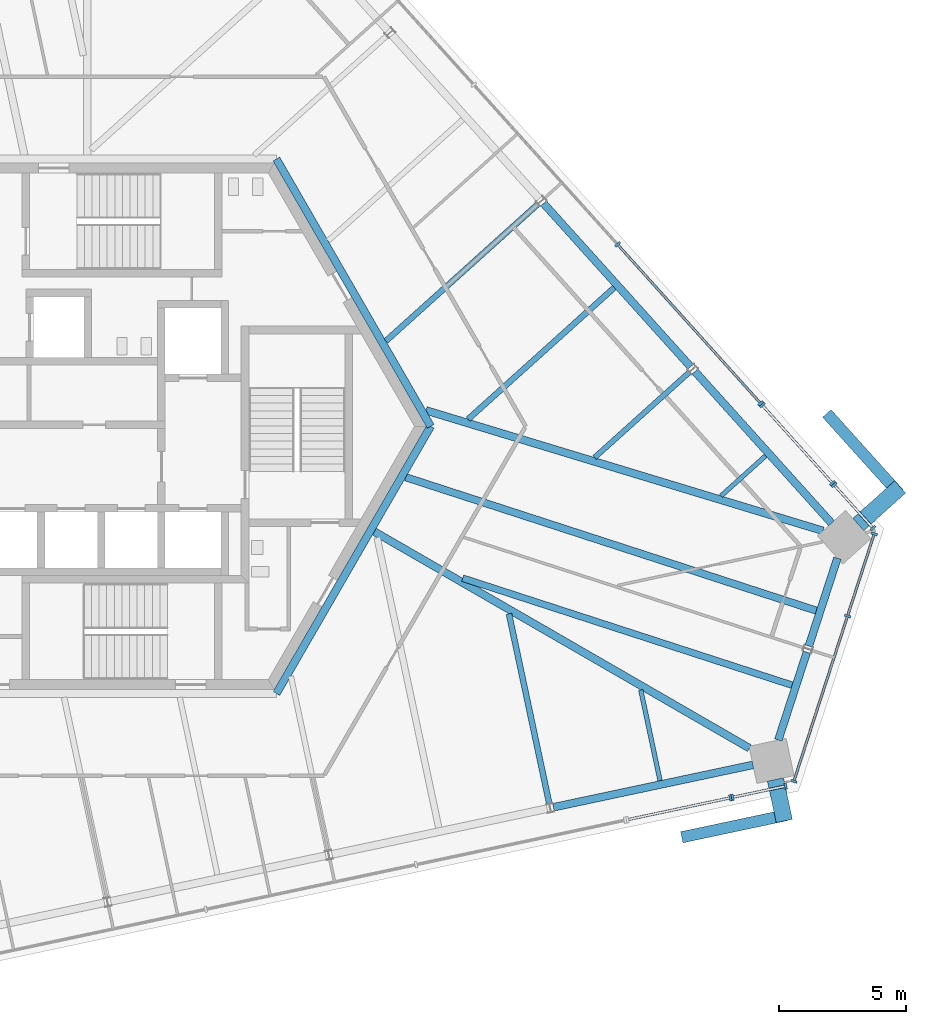
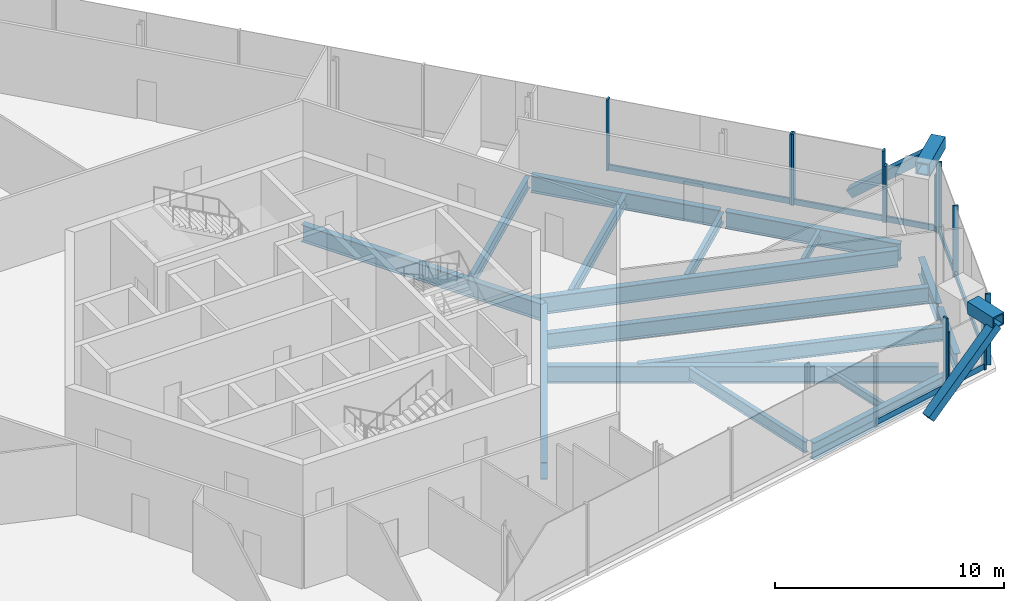
# One storey, part 6 of 16: 23 members, 17 beams, 6 elements without a shape of their own.
"""IFC4 building model written with IfcOpenShell, lengths in metres."""

from ifc_helpers import new_model, si_unit, direction, frame, origin, origin_2d, place, context, subcontext, project, spatial, rectangle, hollow_rectangle, i_section, extrude, source, transform, mapped, material, material_profile, profile_set, type_object, element, aggregate, save


model = new_model("IFC4")

# Units and contexts
model_context = context("Model", 3, precision=1e-05, world=origin(), true_north=direction((0.0, 1.0)))
body_context = subcontext(model_context, "Body", "Model", "MODEL_VIEW")
ifc_project = project(units=[si_unit("LENGTHUNIT", "METRE"), si_unit("AREAUNIT", "SQUARE_METRE"), si_unit("VOLUMEUNIT", "CUBIC_METRE"), si_unit("PLANEANGLEUNIT", "RADIAN"), si_unit("MASSUNIT", "GRAM", prefix="KILO")], contexts=[model_context])

# Site, building, storey
site_placement = place(None, origin())
site = spatial("IfcSite", under=ifc_project, at=site_placement, CompositionType="ELEMENT")
building_placement = place(site_placement, origin())
building = spatial("IfcBuilding", under=site, at=building_placement, Name="Triune Harvest Tower", CompositionType="ELEMENT")
storey_placement = place(building_placement, frame((0.0, 0.0, 292.699951171875)))
storey = spatial("IfcBuildingStorey", under=building, at=storey_placement, Name="L77", CompositionType="ELEMENT", Elevation=292.699951171875)

# Curtain wall, member
ifc_material_1 = material(Name="Aluminium bronze anodised", Category="aluminium")
curtain_wall_type_1 = type_object("IfcCurtainWallType", Name="CW-9 Sky lobby tall glazing wall with insulated spandrel infill", PredefinedType="NOTDEFINED", material=ifc_material_1)
curtain_wall_1_placement = place(storey_placement, origin())
curtain_wall_1 = element("IfcCurtainWall", 1, at=curtain_wall_1_placement, inside=storey, type_object=curtain_wall_type_1, Name="CW-9 B7-F5 L77 run 201")
ifc_material_2 = material(Name="Aluminium bronze anodised", Category="aluminium")
ifc_material_profile_1 = material_profile(ifc_material_2, rectangle(XDim=0.10009765625, YDim=0.300048828125, at=origin_2d()), Name="TR-4 transom 100 x 300")
ifc_profile_set_1 = profile_set([ifc_material_profile_1], Name="Aluminium bronze anodised")
member_type_1 = type_object("IfcMemberType", Name="TR-4 transom 100 x 300", PredefinedType="USERDEFINED", material=ifc_profile_set_1)
member_1_placement = place(storey_placement, frame((24.13232421875, -14.63232421875, 0.150146484375), z_axis=(0.978138891273, 0.20795266139, 0.0), x_axis=(-0.20795266139, 0.978138891273, 0.0)))
member_1 = element("IfcMember", 2, at=member_1_placement, type_object=member_type_1, Name="CW-9 transom B7-F5 201.1", ObjectType="TRANSOM", PredefinedType="USERDEFINED", context=body_context, shape_type="SweptSolid", body=[
    extrude(rectangle(XDim=0.10009765625, YDim=0.300048828125, at=origin_2d()), origin(), (0.0, 0.0, 1.0), 2.05224609375),
])

# Beams
ifc_material_3 = material(Name="Steel ASTM A992 Gr 50", Category="steel")
ifc_material_profile_2 = material_profile(ifc_material_3, i_section(OverallWidth=0.3046875, OverallDepth=0.914306640625, WebThickness=0.0166015625, FlangeThickness=0.02587890625, at=origin_2d()), Name="W36x160")
ifc_profile_set_2 = profile_set([ifc_material_profile_2], Name="Steel ASTM A992 Gr 50")
beam_type_1 = type_object("IfcBeamType", Name="CG-1 Core ring girder W36x160", PredefinedType="BEAM", material=ifc_profile_set_2)
shared_shape_1 = source(origin(), body_context, "Body", "SweptSolid", [
    extrude(i_section(OverallWidth=0.3046875, OverallDepth=0.914306640625, WebThickness=0.0166015625, FlangeThickness=0.02587890625, at=origin_2d()), origin(), (0.0, 0.0, 1.0), 12.176025390625),
])
for number, where, z_axis, x_axis, name in (
    (3, (12.176025390625, 0.0, -0.63720703125), (-0.5000099932, 0.866019634131, 0.0), (-0.866019634131, -0.5000099932, 0.0), "beam/L77/CG1"),
    (4, (6.087890625, -10.544677734375, -0.63720703125), (0.5000099932, 0.866019634131, 0.0), (-0.866019634131, 0.5000099932, 0.0), "beam/L77/CG6"),
):
    element("IfcBeam", number, at=place(storey_placement, frame(where, z_axis=z_axis, x_axis=x_axis)), inside=storey, type_object=beam_type_1, Name=name, PredefinedType="BEAM", context=body_context, shape_type="MappedRepresentation", body=[
        mapped(shared_shape_1, transform((0.0, 0.0, 0.0), scale=1.0)),
    ])
ifc_material_4 = material(Name="Steel ASTM A992 Gr 50", Category="steel")
ifc_material_profile_3 = material_profile(ifc_material_4, i_section(OverallWidth=0.3046875, OverallDepth=0.914306640625, WebThickness=0.0166015625, FlangeThickness=0.02587890625, at=origin_2d()), Name="W36x160")
ifc_profile_set_3 = profile_set([ifc_material_profile_3], Name="Steel ASTM A992 Gr 50")
beam_type_2 = type_object("IfcBeamType", Name="SB-1 Spandrel beam W36x160", PredefinedType="SPANDREL", material=ifc_profile_set_3)
shared_shape_2 = source(origin(), body_context, "Body", "SweptSolid", [
    extrude(i_section(OverallWidth=0.3046875, OverallDepth=0.914306640625, WebThickness=0.0166015625, FlangeThickness=0.02587890625, at=origin_2d()), origin(), (0.0, 0.0, 1.0), 8.0498046875),
])
beam_1_placement = place(storey_placement, frame((27.991455078125, -3.82177734375, -0.63720703125), z_axis=(-0.669137301084, 0.743138797465, 0.0), x_axis=(-0.743138797465, -0.669137301084, 0.0)))
element("IfcBeam", 5, at=beam_1_placement, inside=storey, type_object=beam_type_2, Name="beam/L77/SB1", PredefinedType="SPANDREL", context=body_context, shape_type="MappedRepresentation", body=[
    mapped(shared_shape_2, transform((0.0, 0.0, 0.0), scale=1.0)),
])
shared_shape_3 = source(origin(), body_context, "Body", "SweptSolid", [
    extrude(i_section(OverallWidth=0.3046875, OverallDepth=0.914306640625, WebThickness=0.0166015625, FlangeThickness=0.02587890625, at=origin_2d()), origin(), (0.0, 0.0, 1.0), 8.671630859375),
])
beam_2_placement = place(storey_placement, frame((22.433349609375, 2.350830078125, -0.63720703125), z_axis=(-0.669114044563, 0.743159737452, 0.0), x_axis=(-0.743159737452, -0.669114044563, 0.0)))
element("IfcBeam", 6, at=beam_2_placement, inside=storey, type_object=beam_type_2, Name="beam/L77/SB2", PredefinedType="SPANDREL", context=body_context, shape_type="MappedRepresentation", body=[
    mapped(shared_shape_3, transform((0.0, 0.0, 0.0), scale=1.0)),
])
shared_shape_4 = source(origin(), body_context, "Body", "SweptSolid", [
    extrude(i_section(OverallWidth=0.3046875, OverallDepth=0.914306640625, WebThickness=0.0166015625, FlangeThickness=0.02587890625, at=origin_2d()), origin(), (0.0, 0.0, 1.0), 3.645751953125),
])
for number, where, z_axis, x_axis, name in (
    (7, (25.89306640625, -12.38134765625, -0.63720703125), (0.309046702753, 0.951046862945, 0.0), (-0.951046862945, 0.309046702753, 0.0), "beam/L77/SB20"),
    (8, (27.09912109375, -8.670166015625, -0.63720703125), (0.308986131058, 0.951066543841, 0.0), (-0.951066543841, 0.308986131058, 0.0), "beam/L77/SB21"),
):
    element("IfcBeam", number, at=place(storey_placement, frame(where, z_axis=z_axis, x_axis=x_axis)), inside=storey, type_object=beam_type_2, Name=name, PredefinedType="SPANDREL", context=body_context, shape_type="MappedRepresentation", body=[
        mapped(shared_shape_4, transform((0.0, 0.0, 0.0), scale=1.0)),
    ])
shared_shape_5 = source(origin(), body_context, "Body", "SweptSolid", [
    extrude(i_section(OverallWidth=0.3046875, OverallDepth=0.914306640625, WebThickness=0.0166015625, FlangeThickness=0.02587890625, at=origin_2d()), origin(), (0.0, 0.0, 1.0), 8.049560546875),
])
beam_3_placement = place(storey_placement, frame((17.01806640625, -15.034423828125, -0.63720703125), z_axis=(0.978148597907, 0.207906999431, 0.0), x_axis=(-0.207906999431, 0.978148597907, 0.0)))
element("IfcBeam", 9, at=beam_3_placement, inside=storey, type_object=beam_type_2, Name="beam/L77/SB19", PredefinedType="SPANDREL", context=body_context, shape_type="MappedRepresentation", body=[
    mapped(shared_shape_5, transform((0.0, 0.0, 0.0), scale=1.0)),
])
ifc_material_5 = material(Name="Steel ASTM A992 Gr 50", Category="steel")
ifc_material_profile_4 = material_profile(ifc_material_5, i_section(OverallWidth=0.3046875, OverallDepth=0.914306640625, WebThickness=0.0166015625, FlangeThickness=0.02587890625, at=origin_2d()), Name="W36x160")
ifc_profile_set_4 = profile_set([ifc_material_profile_4], Name="Steel ASTM A992 Gr 50")
beam_type_3 = type_object("IfcBeamType", Name="HG-3 Hip girder W36x160", PredefinedType="BEAM", material=ifc_profile_set_4)
shared_shape_6 = source(origin(), body_context, "Body", "SweptSolid", [
    extrude(i_section(OverallWidth=0.3046875, OverallDepth=0.914306640625, WebThickness=0.0166015625, FlangeThickness=0.02587890625, at=origin_2d()), origin(), (0.0, 0.0, 1.0), 16.370361328125),
])
beam_4_placement = place(storey_placement, frame((27.65478515625, -4.124755859375, -0.63720703125), z_axis=(-0.956924757428, 0.29033602708, 0.0), x_axis=(-0.29033602708, -0.956924757428, 0.0)))
element("IfcBeam", 10, at=beam_4_placement, inside=storey, type_object=beam_type_3, Name="beam/L77/HG1", PredefinedType="BEAM", context=body_context, shape_type="MappedRepresentation", body=[
    mapped(shared_shape_6, transform((0.0, 0.0, 0.0), scale=1.0)),
])
shared_shape_7 = source(origin(), body_context, "Body", "SweptSolid", [
    extrude(i_section(OverallWidth=0.3046875, OverallDepth=0.914306640625, WebThickness=0.0166015625, FlangeThickness=0.02587890625, at=origin_2d()), origin(), (0.0, 0.0, 1.0), 17.088623046875),
])
beam_5_placement = place(storey_placement, frame((24.75146484375, -12.700439453125, -0.63720703125), z_axis=(-0.866020709961, 0.500008129852, 0.0), x_axis=(-0.500008129852, -0.866020709961, 0.0)))
element("IfcBeam", 11, at=beam_5_placement, inside=storey, type_object=beam_type_3, Name="beam/L77/HG8", PredefinedType="BEAM", context=body_context, shape_type="MappedRepresentation", body=[
    mapped(shared_shape_7, transform((0.0, 0.0, 0.0), scale=1.0)),
])
ifc_material_6 = material(Name="Steel ASTM A992 Gr 50", Category="steel")
ifc_material_profile_5 = material_profile(ifc_material_6, i_section(OverallWidth=0.180908203125, OverallDepth=0.41650390625, WebThickness=0.010986328125, FlangeThickness=0.01806640625, at=origin_2d()), Name="W16x57")
ifc_profile_set_5 = profile_set([ifc_material_profile_5], Name="Steel ASTM A992 Gr 50")
beam_type_4 = type_object("IfcBeamType", Name="JT-1 Floor joist W16x57", PredefinedType="JOIST", material=ifc_profile_set_5)
shared_shape_8 = source(origin(), body_context, "Body", "SweptSolid", [
    extrude(i_section(OverallWidth=0.180908203125, OverallDepth=0.41650390625, WebThickness=0.010986328125, FlangeThickness=0.01806640625, at=origin_2d()), origin(), (0.0, 0.0, 1.0), 2.364990234375),
])
beam_6_placement = place(storey_placement, frame((25.39306640625, -1.163818359375, -0.38818359375), z_axis=(-0.743196605909, -0.669073093888, 0.0), x_axis=(0.669073093888, -0.743196605909, 0.0)))
element("IfcBeam", 12, at=beam_6_placement, inside=storey, type_object=beam_type_4, Name="beam/L77/JT1", PredefinedType="JOIST", context=body_context, shape_type="MappedRepresentation", body=[
    mapped(shared_shape_8, transform((0.0, 0.0, 0.0), scale=1.0)),
])
ifc_material_7 = material(Name="Steel ASTM A992 Gr 50", Category="steel")
ifc_material_profile_6 = material_profile(ifc_material_7, i_section(OverallWidth=0.2099609375, OverallDepth=0.535888671875, WebThickness=0.010986328125, FlangeThickness=0.017333984375, at=origin_2d()), Name="W21x68")
ifc_profile_set_6 = profile_set([ifc_material_profile_6], Name="Steel ASTM A992 Gr 50")
beam_type_5 = type_object("IfcBeamType", Name="JT-2 Floor joist W21x68", PredefinedType="JOIST", material=ifc_profile_set_6)
shared_shape_9 = source(origin(), body_context, "Body", "SweptSolid", [
    extrude(i_section(OverallWidth=0.2099609375, OverallDepth=0.535888671875, WebThickness=0.010986328125, FlangeThickness=0.017333984375, at=origin_2d()), origin(), (0.0, 0.0, 1.0), 5.031982421875),
])
beam_7_placement = place(storey_placement, frame((22.38525390625, 2.135009765625, -0.447998046875), z_axis=(-0.743132491089, -0.669144304831, 0.0), x_axis=(0.669144304831, -0.743132491089, 0.0)))
element("IfcBeam", 13, at=beam_7_placement, inside=storey, type_object=beam_type_5, Name="beam/L77/JT2", PredefinedType="JOIST", context=body_context, shape_type="MappedRepresentation", body=[
    mapped(shared_shape_9, transform((0.0, 0.0, 0.0), scale=1.0)),
])
ifc_material_8 = material(Name="Steel ASTM A992 Gr 50", Category="steel")
ifc_material_profile_7 = material_profile(ifc_material_8, i_section(OverallWidth=0.22900390625, OverallDepth=0.612060546875, WebThickness=0.011962890625, FlangeThickness=0.01953125, at=origin_2d()), Name="W24x84")
ifc_profile_set_7 = profile_set([ifc_material_profile_7], Name="Steel ASTM A992 Gr 50")
beam_type_6 = type_object("IfcBeamType", Name="JT-3 Floor joist W24x84", PredefinedType="JOIST", material=ifc_profile_set_7)
shared_shape_10 = source(origin(), body_context, "Body", "SweptSolid", [
    extrude(i_section(OverallWidth=0.22900390625, OverallDepth=0.612060546875, WebThickness=0.011962890625, FlangeThickness=0.01953125, at=origin_2d()), origin(), (0.0, 0.0, 1.0), 7.755126953125),
])
beam_8_placement = place(storey_placement, frame((19.4189453125, 5.470947265625, -0.486083984375), z_axis=(-0.743143852868, -0.66913168655, 0.0), x_axis=(0.66913168655, -0.743143852868, 0.0)))
element("IfcBeam", 14, at=beam_8_placement, inside=storey, type_object=beam_type_6, Name="beam/L77/JT3", PredefinedType="JOIST", context=body_context, shape_type="MappedRepresentation", body=[
    mapped(shared_shape_10, transform((0.0, 0.0, 0.0), scale=1.0)),
])
shared_shape_11 = source(origin(), body_context, "Body", "SweptSolid", [
    extrude(i_section(OverallWidth=0.22900390625, OverallDepth=0.612060546875, WebThickness=0.011962890625, FlangeThickness=0.01953125, at=origin_2d()), origin(), (0.0, 0.0, 1.0), 8.076904296875),
])
beam_9_placement = place(storey_placement, frame((16.4111328125, 8.769775390625, -0.486083984375), z_axis=(-0.743136309392, -0.669140064308, 0.0), x_axis=(0.669140064308, -0.743136309392, 0.0)))
element("IfcBeam", 15, at=beam_9_placement, inside=storey, type_object=beam_type_6, Name="beam/L77/JT4", PredefinedType="JOIST", context=body_context, shape_type="MappedRepresentation", body=[
    mapped(shared_shape_11, transform((0.0, 0.0, 0.0), scale=1.0)),
])
shared_shape_12 = source(origin(), body_context, "Body", "SweptSolid", [
    extrude(i_section(OverallWidth=0.22900390625, OverallDepth=0.612060546875, WebThickness=0.011962890625, FlangeThickness=0.01953125, at=origin_2d()), origin(), (0.0, 0.0, 1.0), 7.6533203125),
])
beam_10_placement = place(storey_placement, frame((16.85498046875, -14.884765625, -0.486083984375), z_axis=(-0.207892711211, 0.978151634781, 0.0), x_axis=(-0.978151634781, -0.207892711211, 0.0)))
element("IfcBeam", 16, at=beam_10_placement, inside=storey, type_object=beam_type_6, Name="beam/L77/JT30", PredefinedType="JOIST", context=body_context, shape_type="MappedRepresentation", body=[
    mapped(shared_shape_12, transform((0.0, 0.0, 0.0), scale=1.0)),
])
shared_shape_13 = source(origin(), body_context, "Body", "SweptSolid", [
    extrude(i_section(OverallWidth=0.180908203125, OverallDepth=0.41650390625, WebThickness=0.010986328125, FlangeThickness=0.01806640625, at=origin_2d()), origin(), (0.0, 0.0, 1.0), 3.661865234375),
])
beam_11_placement = place(storey_placement, frame((21.227294921875, -13.98388671875, -0.38818359375), z_axis=(-0.20788506993, 0.9781532588, 0.0), x_axis=(-0.9781532588, -0.20788506993, 0.0)))
element("IfcBeam", 17, at=beam_11_placement, inside=storey, type_object=beam_type_4, Name="beam/L77/JT31", PredefinedType="JOIST", context=body_context, shape_type="MappedRepresentation", body=[
    mapped(shared_shape_13, transform((0.0, 0.0, 0.0), scale=1.0)),
])
ifc_material_9 = material(Name="Steel ASTM A992 Gr 50", Category="steel")
ifc_material_profile_8 = material_profile(ifc_material_9, i_section(OverallWidth=0.2666015625, OverallDepth=0.7568359375, WebThickness=0.013916015625, FlangeThickness=0.019287109375, at=origin_2d()), Name="W30x108")
ifc_profile_set_8 = profile_set([ifc_material_profile_8], Name="Steel ASTM A992 Gr 50")
beam_type_7 = type_object("IfcBeamType", Name="JT-5 Floor joist W30x108", PredefinedType="JOIST", material=ifc_profile_set_8)
shared_shape_14 = source(origin(), body_context, "Body", "SweptSolid", [
    extrude(i_section(OverallWidth=0.2666015625, OverallDepth=0.7568359375, WebThickness=0.013916015625, FlangeThickness=0.019287109375, at=origin_2d()), origin(), (0.0, 0.0, 1.0), 13.667724609375),
])
beam_12_placement = place(storey_placement, frame((26.4365234375, -10.216064453125, -0.558349609375), z_axis=(-0.951054938162, 0.309021851327, 0.0), x_axis=(-0.309021851327, -0.951054938162, 0.0)))
element("IfcBeam", 18, at=beam_12_placement, inside=storey, type_object=beam_type_7, Name="beam/L77/JT32", PredefinedType="JOIST", context=body_context, shape_type="MappedRepresentation", body=[
    mapped(shared_shape_14, transform((0.0, 0.0, 0.0), scale=1.0)),
])
ifc_material_10 = material(Name="Steel ASTM A992 Gr 50", Category="steel")
ifc_material_profile_9 = material_profile(ifc_material_10, i_section(OverallWidth=0.2919921875, OverallDepth=0.8408203125, WebThickness=0.0146484375, FlangeThickness=0.021728515625, at=origin_2d()), Name="W33x130")
ifc_profile_set_9 = profile_set([ifc_material_profile_9], Name="Steel ASTM A992 Gr 50")
beam_type_8 = type_object("IfcBeamType", Name="JT-6 Floor joist W33x130", PredefinedType="JOIST", material=ifc_profile_set_9)
shared_shape_15 = source(origin(), body_context, "Body", "SweptSolid", [
    extrude(i_section(OverallWidth=0.2919921875, OverallDepth=0.8408203125, WebThickness=0.0146484375, FlangeThickness=0.021728515625, at=origin_2d()), origin(), (0.0, 0.0, 1.0), 17.03466796875),
])
beam_13_placement = place(storey_placement, frame((27.392333984375, -7.27392578125, -0.600341796875), z_axis=(-0.951057974177, 0.30901250744, 0.0), x_axis=(-0.30901250744, -0.951057974177, 0.0)))
element("IfcBeam", 19, at=beam_13_placement, inside=storey, type_object=beam_type_8, Name="beam/L77/JT33", PredefinedType="JOIST", context=body_context, shape_type="MappedRepresentation", body=[
    mapped(shared_shape_15, transform((0.0, 0.0, 0.0), scale=1.0)),
])

# Members
ifc_material_11 = material(Name="Steel ASTM A572 Gr 50", Category="steel")
ifc_material_profile_10 = material_profile(ifc_material_11, hollow_rectangle(XDim=0.64990234375, YDim=0.64990234375, WallThickness=0.070068359375, at=origin_2d()), Name="Box 650x650x70")
ifc_profile_set_10 = profile_set([ifc_material_profile_10], Name="Steel ASTM A572 Gr 50")
member_type_2 = type_object("IfcMemberType", Name="BS-1 Brace stub Box 650x650x70", PredefinedType="STRUT", material=ifc_profile_set_10)
shared_shape_16 = source(origin(), body_context, "Body", "SweptSolid", [
    extrude(hollow_rectangle(XDim=0.64990234375, YDim=0.64990234375, WallThickness=0.070068359375, at=origin_2d()), origin(), (0.0, 0.0, 1.0), 1.673095703125),
])
member_2_placement = place(storey_placement, frame((25.781494140625, -13.938720703125, 3.400146484375), z_axis=(0.207944272914, -0.978140674628, 0.0), x_axis=(0.978140674628, 0.207944272914, 0.0)))
element("IfcMember", 20, at=member_2_placement, inside=storey, type_object=member_type_2, Name="brace/B7-F5/stub2", PredefinedType="STRUT", context=body_context, shape_type="MappedRepresentation", body=[
    mapped(shared_shape_16, transform((0.0, 0.0, 0.0), scale=1.0)),
])
ifc_material_12 = material(Name="Steel ASTM A572 Gr 50", Category="steel")
ifc_material_profile_11 = material_profile(ifc_material_12, hollow_rectangle(XDim=0.449951171875, YDim=0.449951171875, WallThickness=0.02490234375, at=origin_2d()), Name="Box 450x450x25")
ifc_profile_set_11 = profile_set([ifc_material_profile_11], Name="Steel ASTM A572 Gr 50")
member_type_3 = type_object("IfcMemberType", Name="BR-4 Brace Box 450x450x25", PredefinedType="BRACE", material=ifc_profile_set_11)
shared_shape_17 = source(origin(), body_context, "Body", "SweptSolid", [
    extrude(hollow_rectangle(XDim=0.449951171875, YDim=0.449951171875, WallThickness=0.02490234375, at=origin_2d()), origin(), (0.0, 0.0, 1.0), 5.04345703125),
])
for number, where, z_axis, x_axis, name in (
    (21, (27.90185546875, 0.4033203125, 0.0), (0.52401012645, -0.582002194024, 0.621841485854), (0.743161970832, 0.669111564023, 0.0), "brace/B7-F1/d2/10"),
    (22, (22.2216796875, -16.1884765625, 0.0), (0.766034600861, 0.162839835532, 0.621831310121), (-0.207928983469, 0.978143924908, 0.0), "brace/B7-F5/d1/10"),
):
    element("IfcMember", number, at=place(storey_placement, frame(where, z_axis=z_axis, x_axis=x_axis)), inside=storey, type_object=member_type_3, Name=name, PredefinedType="BRACE", context=body_context, shape_type="MappedRepresentation", body=[
        mapped(shared_shape_17, transform((0.0, 0.0, 0.0), scale=1.0)),
    ])
shared_shape_18 = source(origin(), body_context, "Body", "SweptSolid", [
    extrude(hollow_rectangle(XDim=0.64990234375, YDim=0.64990234375, WallThickness=0.070068359375, at=origin_2d()), origin(), (0.0, 0.0, 1.0), 2.22314453125),
])
member_3_placement = place(storey_placement, frame((29.050537109375, -3.87744140625, 3.400146484375), z_axis=(0.743146691335, 0.669128534108, 0.0), x_axis=(-0.669128534108, 0.743146691335, 0.0)))
element("IfcMember", 23, at=member_3_placement, inside=storey, type_object=member_type_2, Name="brace/B7-F1/stub4", PredefinedType="STRUT", context=body_context, shape_type="MappedRepresentation", body=[
    mapped(shared_shape_18, transform((0.0, 0.0, 0.0), scale=1.0)),
])

# Curtain wall, members
ifc_material_13 = material(Name="Aluminium bronze anodised", Category="aluminium")
curtain_wall_type_2 = type_object("IfcCurtainWallType", Name="CW-4 Sky lobby tall glazing wall", PredefinedType="NOTDEFINED", material=ifc_material_13)
curtain_wall_2_placement = place(storey_placement, origin())
curtain_wall_2 = element("IfcCurtainWall", 24, at=curtain_wall_2_placement, inside=storey, type_object=curtain_wall_type_2, Name="CW-4 B7-F6 L77 run 1")
shared_shape_19 = source(origin(), body_context, "Body", "SweptSolid", [
    extrude(rectangle(XDim=0.10009765625, YDim=0.300048828125, at=origin_2d()), origin(), (0.0, 0.0, 1.0), 6.76708984375),
])
member_4_placement = place(storey_placement, frame((26.52001953125, -13.96533203125, 0.150146484375), z_axis=(0.30899960044, 0.951062167751, 0.0), x_axis=(-0.951062167751, 0.30899960044, 0.0)))
member_4 = element("IfcMember", 25, at=member_4_placement, type_object=member_type_1, Name="CW-4 transom B7-F6 1.1", ObjectType="TRANSOM", PredefinedType="USERDEFINED", context=body_context, shape_type="MappedRepresentation", body=[
    mapped(shared_shape_19, transform((0.0, 0.0, 0.0), scale=1.0)),
])
shared_shape_20 = source(origin(), body_context, "Body", "SweptSolid", [
    extrude(rectangle(XDim=0.10009765625, YDim=0.300048828125, at=origin_2d()), origin(), (0.0, 0.0, 1.0), 3.316162109375),
])
member_5_placement = place(storey_placement, frame((28.638916015625, -7.443603515625, 0.150146484375), z_axis=(0.309062766422, 0.951041642838, 0.0), x_axis=(-0.951041642838, 0.309062766422, 0.0)))
member_5 = element("IfcMember", 26, at=member_5_placement, type_object=member_type_1, Name="CW-4 transom B7-F6 1.2", ObjectType="TRANSOM", PredefinedType="USERDEFINED", context=body_context, shape_type="MappedRepresentation", body=[
    mapped(shared_shape_20, transform((0.0, 0.0, 0.0), scale=1.0)),
])

curtain_wall_3_placement = place(storey_placement, origin())
curtain_wall_3 = element("IfcCurtainWall", 27, at=curtain_wall_3_placement, inside=storey, type_object=curtain_wall_type_1, Name="CW-9 B7-F1 L77 run 1")
ifc_material_14 = material(Name="Aluminium bronze anodised", Category="aluminium")
ifc_material_profile_12 = material_profile(ifc_material_14, rectangle(XDim=0.25, YDim=0.090087890625, at=origin_2d()), Name="MU-4 mullion 90 x 250")
ifc_profile_set_12 = profile_set([ifc_material_profile_12], Name="Aluminium bronze anodised")
member_type_4 = type_object("IfcMemberType", Name="MU-4 mullion 90 x 250", PredefinedType="MULLION", material=ifc_profile_set_12)
shared_shape_21 = source(origin(), body_context, "Body", "SweptSolid", [
    extrude(rectangle(XDim=0.25, YDim=0.090087890625, at=origin_2d()), origin(), (0.0, 0.0, 1.0), 3.01513671875),
])
member_6_placement = place(storey_placement, frame((29.629150390625, -4.01806640625, 0.0), z_axis=(0.0, 0.0, 1.0), x_axis=(-0.743133530082, -0.669143150953, 0.0)))
member_6 = element("IfcMember", 28, at=member_6_placement, type_object=member_type_4, Name="CW-9 mullion B7-F1 1.1", PredefinedType="MULLION", context=body_context, shape_type="MappedRepresentation", body=[
    mapped(shared_shape_21, transform((0.0, 0.0, 0.0), scale=1.0)),
])
member_7_placement = place(storey_placement, frame((28.093994140625, -2.313232421875, 0.0), z_axis=(0.0, 0.0, 1.0), x_axis=(-0.743133530082, -0.669143150953, 0.0)))
member_7 = element("IfcMember", 29, at=member_7_placement, type_object=member_type_4, Name="CW-9 mullion B7-F1 1.2", PredefinedType="MULLION", context=body_context, shape_type="MappedRepresentation", body=[
    mapped(shared_shape_21, transform((0.0, 0.0, 0.0), scale=1.0)),
])

# Member
member_8_placement = place(storey_placement, frame((24.088134765625, -14.6416015625, 0.0), z_axis=(0.0, 0.0, 1.0), x_axis=(-0.207895186635, 0.978151108661, 0.0)))
member_8 = element("IfcMember", 30, at=member_8_placement, type_object=member_type_4, Name="CW-9 mullion B7-F5 201.1", PredefinedType="MULLION", context=body_context, shape_type="MappedRepresentation", body=[
    mapped(shared_shape_21, transform((0.0, 0.0, 0.0), scale=1.0)),
])

member_9_placement = place(storey_placement, frame((26.183837890625, -14.1962890625, 0.0), z_axis=(0.0, 0.0, 1.0), x_axis=(-0.207895186635, 0.978151108661, 0.0)))
member_9 = element("IfcMember", 31, at=member_9_placement, type_object=member_type_4, Name="CW-9 mullion B7-F5 201.2", PredefinedType="MULLION", context=body_context, shape_type="MappedRepresentation", body=[
    mapped(shared_shape_21, transform((0.0, 0.0, 0.0), scale=1.0)),
])

aggregate(curtain_wall_1, [member_8, member_9, member_1])

shared_shape_22 = source(origin(), body_context, "Body", "SweptSolid", [
    extrude(rectangle(XDim=0.10009765625, YDim=0.300048828125, at=origin_2d()), origin(), (0.0, 0.0, 1.0), 2.2041015625),
])
member_10_placement = place(storey_placement, frame((29.598876953125, -3.984619140625, 0.150146484375), z_axis=(-0.669142184208, 0.743134400572, 0.0), x_axis=(-0.743134400572, -0.669142184208, 0.0)))
member_10 = element("IfcMember", 32, at=member_10_placement, type_object=member_type_1, Name="CW-9 transom B7-F1 1.1", ObjectType="TRANSOM", PredefinedType="USERDEFINED", context=body_context, shape_type="MappedRepresentation", body=[
    mapped(shared_shape_22, transform((0.0, 0.0, 0.0), scale=1.0)),
])

aggregate(curtain_wall_3, [member_6, member_7, member_10])

# Curtain wall, members
curtain_wall_4_placement = place(storey_placement, origin())
curtain_wall_4 = element("IfcCurtainWall", 33, at=curtain_wall_4_placement, inside=storey, type_object=curtain_wall_type_1, Name="CW-9 B7-F1 L77 run 101")
shared_shape_23 = source(origin(), body_context, "Body", "SweptSolid", [
    extrude(rectangle(XDim=0.25, YDim=0.090087890625, at=origin_2d()), origin(), (0.0, 0.0, 1.0), 3.800048828125),
])
member_11_placement = place(storey_placement, frame((28.03369140625, -2.246337890625, 0.0), z_axis=(0.0, 0.0, 1.0), x_axis=(-0.743147562931, -0.669127566096, 0.0)))
member_11 = element("IfcMember", 34, at=member_11_placement, type_object=member_type_4, Name="CW-9 mullion B7-F1 101.1", PredefinedType="MULLION", context=body_context, shape_type="MappedRepresentation", body=[
    mapped(shared_shape_23, transform((0.0, 0.0, 0.0), scale=1.0)),
])
member_12_placement = place(storey_placement, frame((25.25634765625, 0.838134765625, 0.0), z_axis=(0.0, 0.0, 1.0), x_axis=(-0.743147562931, -0.669127566096, 0.0)))
member_12 = element("IfcMember", 35, at=member_12_placement, type_object=member_type_4, Name="CW-9 mullion B7-F1 101.2", PredefinedType="MULLION", context=body_context, shape_type="MappedRepresentation", body=[
    mapped(shared_shape_23, transform((0.0, 0.0, 0.0), scale=1.0)),
])

curtain_wall_5_placement = place(storey_placement, origin())
curtain_wall_5 = element("IfcCurtainWall", 36, at=curtain_wall_5_placement, inside=storey, type_object=curtain_wall_type_2, Name="CW-4 B7-F1 L77 run 1101")
member_13_placement = place(storey_placement, frame((25.1962890625, 0.905029296875, 0.0), z_axis=(0.0, 0.0, 1.0), x_axis=(-0.743143165769, -0.669132449647, 0.0)))
member_13 = element("IfcMember", 37, at=member_13_placement, type_object=member_type_4, Name="CW-4 mullion B7-F1 1101.1", PredefinedType="MULLION", context=body_context, shape_type="MappedRepresentation", body=[
    mapped(shared_shape_23, transform((0.0, 0.0, 0.0), scale=1.0)),
])
member_14_placement = place(storey_placement, frame((19.551025390625, 7.174560546875, 0.0), z_axis=(0.0, 0.0, 1.0), x_axis=(-0.743143165769, -0.669132449647, 0.0)))
member_14 = element("IfcMember", 38, at=member_14_placement, type_object=member_type_4, Name="CW-4 mullion B7-F1 1101.3", PredefinedType="MULLION", context=body_context, shape_type="MappedRepresentation", body=[
    mapped(shared_shape_23, transform((0.0, 0.0, 0.0), scale=1.0)),
])

# Curtain wall, member
curtain_wall_6_placement = place(storey_placement, origin())
curtain_wall_6 = element("IfcCurtainWall", 39, at=curtain_wall_6_placement, inside=storey, type_object=curtain_wall_type_1, Name="CW-9 B7-F5 L77 run 2101")
member_15_placement = place(storey_placement, frame((24.000244140625, -14.660400390625, 0.0), z_axis=(0.0, 0.0, 1.0), x_axis=(-0.20791036568, 0.9781478824, 0.0)))
member_15 = element("IfcMember", 40, at=member_15_placement, type_object=member_type_4, Name="CW-9 mullion B7-F5 2101.2", PredefinedType="MULLION", context=body_context, shape_type="MappedRepresentation", body=[
    mapped(shared_shape_23, transform((0.0, 0.0, 0.0), scale=1.0)),
])

# Member
member_16_placement = place(storey_placement, frame((26.506103515625, -14.00830078125, 0.0), z_axis=(0.0, 0.0, 1.0), x_axis=(-0.951055902733, 0.309018882717, 0.0)))
member_16 = element("IfcMember", 41, at=member_16_placement, type_object=member_type_4, Name="CW-4 mullion B7-F6 1.1", PredefinedType="MULLION", context=body_context, shape_type="MappedRepresentation", body=[
    mapped(shared_shape_23, transform((0.0, 0.0, 0.0), scale=1.0)),
])

member_17_placement = place(storey_placement, frame((28.625, -7.486328125, 0.0), z_axis=(0.0, 0.0, 1.0), x_axis=(-0.951055902733, 0.309018882717, 0.0)))
member_17 = element("IfcMember", 42, at=member_17_placement, type_object=member_type_4, Name="CW-4 mullion B7-F6 1.3", PredefinedType="MULLION", context=body_context, shape_type="MappedRepresentation", body=[
    mapped(shared_shape_23, transform((0.0, 0.0, 0.0), scale=1.0)),
])

member_18_placement = place(storey_placement, frame((29.677734375, -4.246826171875, 0.0), z_axis=(0.0, 0.0, 1.0), x_axis=(-0.951055902733, 0.309018882717, 0.0)))
member_18 = element("IfcMember", 43, at=member_18_placement, type_object=member_type_4, Name="CW-4 mullion B7-F6 1.4", PredefinedType="MULLION", context=body_context, shape_type="MappedRepresentation", body=[
    mapped(shared_shape_23, transform((0.0, 0.0, 0.0), scale=1.0)),
])

aggregate(curtain_wall_2, [member_16, member_17, member_18, member_4, member_5])

shared_shape_24 = source(origin(), body_context, "Body", "SweptSolid", [
    extrude(rectangle(XDim=0.10009765625, YDim=0.300048828125, at=origin_2d()), origin(), (0.0, 0.0, 1.0), 4.060791015625),
])
member_19_placement = place(storey_placement, frame((28.003662109375, -2.213134765625, 0.150146484375), z_axis=(-0.669100908995, 0.74317156403, 0.0), x_axis=(-0.74317156403, -0.669100908995, 0.0)))
member_19 = element("IfcMember", 44, at=member_19_placement, type_object=member_type_1, Name="CW-9 transom B7-F1 101.1", ObjectType="TRANSOM", PredefinedType="USERDEFINED", context=body_context, shape_type="MappedRepresentation", body=[
    mapped(shared_shape_24, transform((0.0, 0.0, 0.0), scale=1.0)),
])

aggregate(curtain_wall_4, [member_11, member_12, member_19])

shared_shape_25 = source(origin(), body_context, "Body", "SweptSolid", [
    extrude(rectangle(XDim=0.10009765625, YDim=0.300048828125, at=origin_2d()), origin(), (0.0, 0.0, 1.0), 8.346435546875),
])
member_20_placement = place(storey_placement, frame((25.166015625, 0.9384765625, 0.150146484375), z_axis=(-0.669136015532, 0.743139955001, 0.0), x_axis=(-0.743139955001, -0.669136015532, 0.0)))
member_20 = element("IfcMember", 45, at=member_20_placement, type_object=member_type_1, Name="CW-4 transom B7-F1 1101.1", ObjectType="TRANSOM", PredefinedType="USERDEFINED", context=body_context, shape_type="MappedRepresentation", body=[
    mapped(shared_shape_25, transform((0.0, 0.0, 0.0), scale=1.0)),
])

aggregate(curtain_wall_5, [member_13, member_14, member_20])

shared_shape_26 = source(origin(), body_context, "Body", "SweptSolid", [
    extrude(rectangle(XDim=0.10009765625, YDim=0.300048828125, at=origin_2d()), origin(), (0.0, 0.0, 1.0), 4.060546875),
])
member_21_placement = place(storey_placement, frame((19.984130859375, -15.513916015625, 0.150146484375), z_axis=(0.978148611934, 0.207906933436, 0.0), x_axis=(-0.207906933436, 0.978148611934, 0.0)))
member_21 = element("IfcMember", 46, at=member_21_placement, type_object=member_type_1, Name="CW-9 transom B7-F5 2101.1", ObjectType="TRANSOM", PredefinedType="USERDEFINED", context=body_context, shape_type="MappedRepresentation", body=[
    mapped(shared_shape_26, transform((0.0, 0.0, 0.0), scale=1.0)),
])

aggregate(curtain_wall_6, [member_15, member_21])

save(model, "model.ifc")
